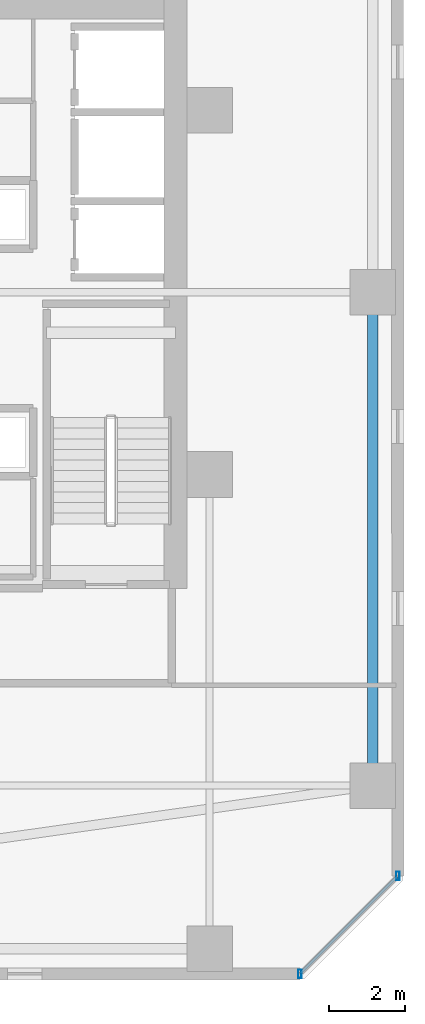
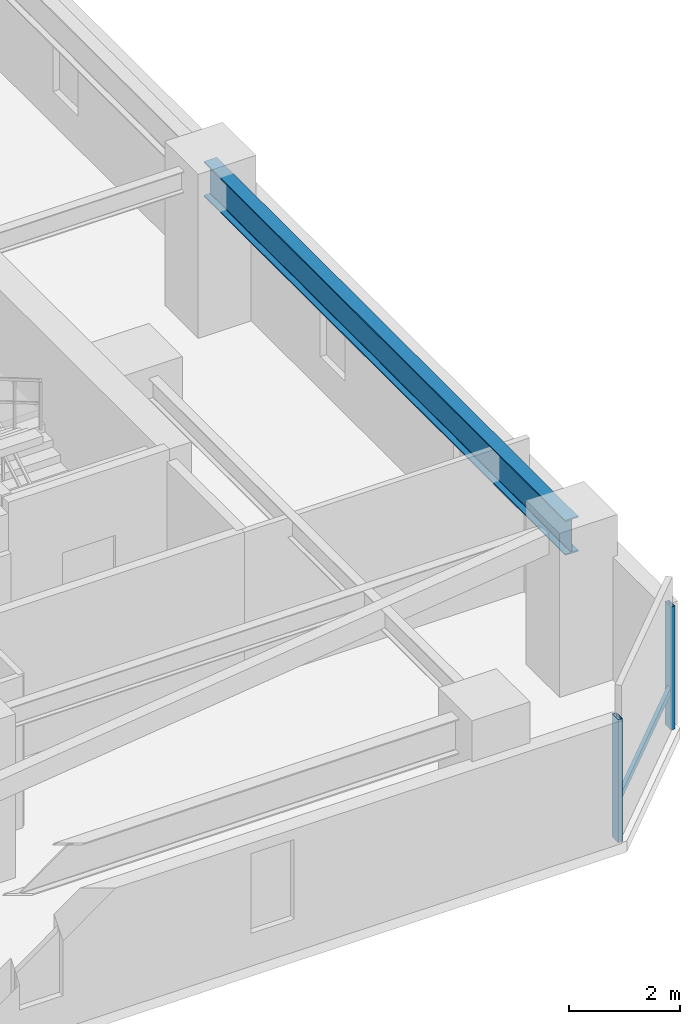
# One storey, part 12 of 30: 3 members, 1 beam, 1 element without a shape of its own.
"""IFC4 building model written with IfcOpenShell, lengths in metres."""

from ifc_helpers import new_model, si_unit, direction, frame, origin, origin_2d, place, context, subcontext, project, spatial, hollow_rectangle, i_section, extrude, material, material_profile, profile_set, type_object, element, aggregate, save


model = new_model("IFC4")

# Units and contexts
model_context = context("Model", 3, precision=1e-05, world=origin(), true_north=direction((0.0, 1.0)))
body_context = subcontext(model_context, "Body", "Model", "MODEL_VIEW")
ifc_project = project(units=[si_unit("LENGTHUNIT", "METRE"), si_unit("AREAUNIT", "SQUARE_METRE"), si_unit("VOLUMEUNIT", "CUBIC_METRE"), si_unit("PLANEANGLEUNIT", "RADIAN"), si_unit("MASSUNIT", "GRAM", prefix="KILO")], contexts=[model_context])

# Site, building, storey
site_placement = place(None, origin())
site = spatial("IfcSite", under=ifc_project, at=site_placement, CompositionType="ELEMENT")
building_placement = place(site_placement, origin())
building = spatial("IfcBuilding", under=site, at=building_placement, Name="Thornwick Lancets Civic Towers", CompositionType="ELEMENT")
storey_placement = place(building_placement, frame((0.0, 0.0, 80.10009765625)))
storey = spatial("IfcBuildingStorey", under=building, at=storey_placement, Name="L20", CompositionType="ELEMENT", Elevation=80.10009765625)

# Beam
ifc_material_1 = material(Name="Steel S355JR", Category="steel")
ifc_material_profile_1 = material_profile(ifc_material_1, i_section(OverallWidth=0.26806640625, OverallDepth=0.769775390625, WebThickness=0.015625, FlangeThickness=0.025390625, FilletRadius=0.0166015625, at=origin_2d()), Name="UKB 762x267x197")
ifc_profile_set_1 = profile_set([ifc_material_profile_1], Name="Steel S355JR")
beam_type = type_object("IfcBeamType", Name="BM_GIRD_762_197", PredefinedType="BEAM", material=ifc_profile_set_1)
beam_placement = place(storey_placement, frame((105.800048828125, 14.0, 2.97509765625), z_axis=(0.0, 1.0, 0.0), x_axis=(-1.0, 0.0, 0.0)))
element("IfcBeam", 1, at=beam_placement, inside=storey, type_object=beam_type, Name="BM-SPINE-L20-B-0-1", PredefinedType="BEAM", context=body_context, shape_type="SweptSolid", body=[
    extrude(i_section(OverallWidth=0.26806640625, OverallDepth=0.769775390625, WebThickness=0.015625, FlangeThickness=0.025390625, FilletRadius=0.0166015625, at=origin_2d()), origin(), (0.0, 0.0, 1.0), 13.0),
])

# Curtain wall, members
ifc_material_2 = material(Name="Low-zone chamfered-corner unitised glass curtain wall", Category="glass")
curtain_wall_type = type_object("IfcCurtainWallType", Name="CW_SYS_03", PredefinedType="NOTDEFINED", material=ifc_material_2)
curtain_wall_placement = place(storey_placement, origin())
curtain_wall = element("IfcCurtainWall", 2, at=curtain_wall_placement, inside=storey, type_object=curtain_wall_type, Name="L20 Curtain Wall CW-L20-B-E1", PredefinedType="NOTDEFINED")
ifc_material_3 = material(Name="Thermally broken bronze aluminium S355", Category="steel")
ifc_material_profile_2 = material_profile(ifc_material_3, hollow_rectangle(XDim=0.090087890625, YDim=0.219970703125, WallThickness=0.00634765625, at=origin_2d()), Name="RHS 220x90x6.3")
ifc_profile_set_2 = profile_set([ifc_material_profile_2], Name="Thermally broken bronze aluminium S355")
member_type_1 = type_object("IfcMemberType", Name="CW_MUL_220", PredefinedType="MULLION", material=ifc_profile_set_2)
member_1_placement = place(storey_placement, frame((103.88134765625, 9.035400390625, 0.0), z_axis=(0.0, 0.0, 1.0), x_axis=(1.0, 0.0, 0.0)))
member_1 = element("IfcMember", 3, at=member_1_placement, type_object=member_type_1, Name="CW-L20-B-E1 Mullion 0", PredefinedType="MULLION", context=body_context, shape_type="SweptSolid", body=[
    extrude(hollow_rectangle(XDim=0.090087890625, YDim=0.219970703125, WallThickness=0.00634765625, at=origin_2d()), origin(), (0.0, 0.0, 1.0), 2.699951171875),
])
member_2_placement = place(storey_placement, frame((106.464599609375, 11.61865234375, 0.0), z_axis=(0.0, 0.0, 1.0), x_axis=(1.0, 0.0, 0.0)))
member_2 = element("IfcMember", 4, at=member_2_placement, type_object=member_type_1, Name="CW-L20-B-E1 Mullion 1", PredefinedType="MULLION", context=body_context, shape_type="SweptSolid", body=[
    extrude(hollow_rectangle(XDim=0.090087890625, YDim=0.219970703125, WallThickness=0.00634765625, at=origin_2d()), origin(), (0.0, 0.0, 1.0), 2.699951171875),
])
ifc_material_profile_3 = material_profile(ifc_material_3, hollow_rectangle(XDim=0.074951171875, YDim=0.14990234375, WallThickness=0.0048828125, at=origin_2d()), Name="RHS 150x75x5")
ifc_profile_set_3 = profile_set([ifc_material_profile_3], Name="Thermally broken bronze aluminium S355")
member_type_2 = type_object("IfcMemberType", Name="CW_TRN_150", PredefinedType="USERDEFINED", material=ifc_profile_set_3)
member_3_placement = place(storey_placement, frame((103.8955078125, 9.04931640625, 0.849853515625), z_axis=(0.707106781187, 0.707106781187, 0.0), x_axis=(-0.707106781187, 0.707106781187, 0.0)))
member_3 = element("IfcMember", 5, at=member_3_placement, type_object=member_type_2, Name="CW-L20-B-E1 Transom 0", ObjectType="TRANSOM", PredefinedType="USERDEFINED", context=body_context, shape_type="SweptSolid", body=[
    extrude(hollow_rectangle(XDim=0.074951171875, YDim=0.14990234375, WallThickness=0.0048828125, at=origin_2d()), origin(), (0.0, 0.0, 1.0), 3.613525390625),
])
aggregate(curtain_wall, [member_1, member_2, member_3])

save(model, "model.ifc")
